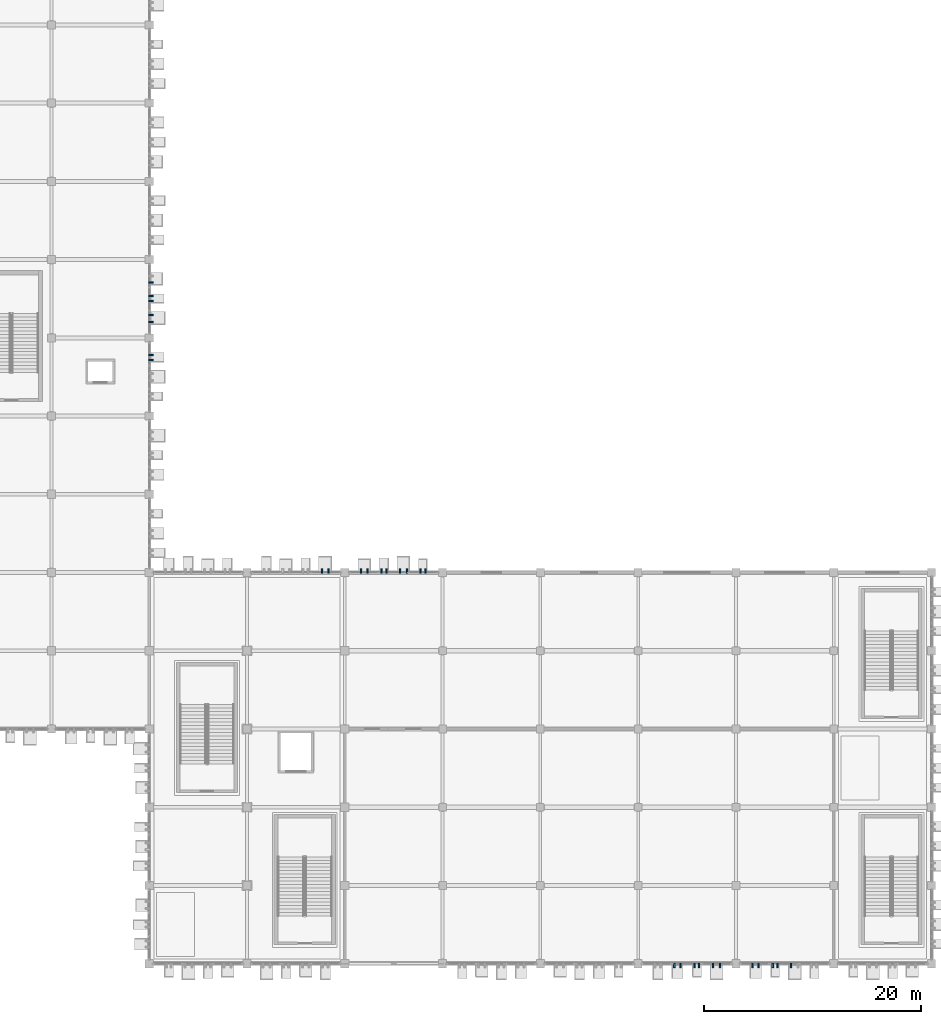
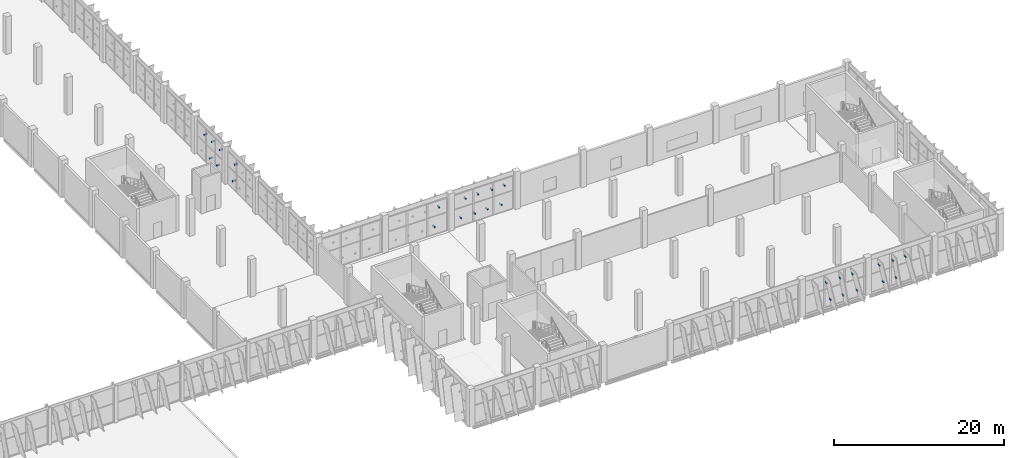
# One storey, part 151 of 189: 28 discrete accessories.
"""IFC4 building model written with IfcOpenShell, lengths in metres."""

from ifc_helpers import new_model, si_unit, direction, frame, origin, origin_2d, place, context, subcontext, project, spatial, rectangle, extrude, material, type_object, element, save


model = new_model("IFC4")

# Units and contexts
model_context = context("Model", 3, precision=1e-05, world=origin(), true_north=direction((0.0, 1.0)))
body_context = subcontext(model_context, "Body", "Model", "MODEL_VIEW")
ifc_project = project(units=[si_unit("LENGTHUNIT", "METRE"), si_unit("AREAUNIT", "SQUARE_METRE"), si_unit("VOLUMEUNIT", "CUBIC_METRE"), si_unit("PLANEANGLEUNIT", "RADIAN"), si_unit("MASSUNIT", "GRAM", prefix="KILO")], contexts=[model_context])

# Site, building, storey
site_placement = place(None, origin())
site = spatial("IfcSite", under=ifc_project, at=site_placement, CompositionType="ELEMENT")
building_placement = place(site_placement, origin())
building = spatial("IfcBuilding", under=site, at=building_placement, Name="Celestram Park Convention Centre", CompositionType="ELEMENT")
storey_placement = place(building_placement, frame((0.0, 0.0, 5.39990234375)))
storey = spatial("IfcBuildingStorey", under=building, at=storey_placement, Name="L01", CompositionType="ELEMENT", Elevation=5.39990234375)

# Discrete accessories
ifc_material = material(Name="Steel ASTM A500 Grade C", Category="steel")
discrete_accessory_type = type_object("IfcDiscreteAccessoryType", Name="ARC-BRK-OUT400", PredefinedType="BRACKET", material=ifc_material)
for number, where, z_axis, x_axis, name in (
    (1, (144.14990234375, 62.68798828125, 3.650390625), (0.0, 0.0, 1.0), (1.0, 0.0, 0.0), "Solar fin outrigger bracket BK-L01-0562"),
    (2, (144.14990234375, 61.42919921875, 1.01318359375), (0.0, 0.0, 1.0), (1.0, 0.0, 0.0), "Solar fin outrigger bracket BK-L01-0563"),
    (3, (144.14990234375, 60.970703125, 3.66748046875), (0.0, 0.0, 1.0), (1.0, 0.0, 0.0), "Solar fin outrigger bracket BK-L01-0564"),
    (4, (144.14990234375, 59.72119140625, 1.0322265625), (0.0, 0.0, 1.0), (1.0, 0.0, 0.0), "Solar fin outrigger bracket BK-L01-0565"),
    (5, (144.14990234375, 59.07861328125, 3.64794921875), (0.0, 0.0, 1.0), (1.0, 0.0, 0.0), "Solar fin outrigger bracket BK-L01-0566"),
    (6, (144.14990234375, 56.029296875, 1.01318359375), (0.0, 0.0, 1.0), (1.0, 0.0, 0.0), "Solar fin outrigger bracket BK-L01-0567"),
    (7, (144.14990234375, 55.57080078125, 3.66748046875), (0.0, 0.0, 1.0), (1.0, 0.0, 0.0), "Solar fin outrigger bracket BK-L01-0568"),
    (8, (159.882568359375, 36.14990234375, 1.01953125), (0.0, 0.0, 1.0), (0.0, 1.0, 0.0), "Solar fin outrigger bracket BK-L01-0599"),
    (9, (160.517578125, 36.14990234375, 3.60498046875), (0.0, 0.0, 1.0), (0.0, 1.0, 0.0), "Solar fin outrigger bracket BK-L01-0600"),
    (10, (163.491455078125, 36.14990234375, 1.01708984375), (0.0, 0.0, 1.0), (0.0, 1.0, 0.0), "Solar fin outrigger bracket BK-L01-0601"),
    (11, (164.1083984375, 36.14990234375, 3.60693359375), (0.0, 0.0, 1.0), (0.0, 1.0, 0.0), "Solar fin outrigger bracket BK-L01-0602"),
    (12, (165.373291015625, 36.14990234375, 1.00048828125), (0.0, 0.0, 1.0), (0.0, 1.0, 0.0), "Solar fin outrigger bracket BK-L01-0603"),
    (13, (165.82666015625, 36.14990234375, 3.6240234375), (0.0, 0.0, 1.0), (0.0, 1.0, 0.0), "Solar fin outrigger bracket BK-L01-0604"),
    (14, (167.08251953125, 36.14990234375, 1.01953125), (0.0, 0.0, 1.0), (0.0, 1.0, 0.0), "Solar fin outrigger bracket BK-L01-0605"),
    (15, (167.717529296875, 36.14990234375, 3.60498046875), (0.0, 0.0, 1.0), (0.0, 1.0, 0.0), "Solar fin outrigger bracket BK-L01-0606"),
    (16, (168.9873046875, 36.14990234375, 0.998046875), (0.0, 0.0, 1.0), (0.0, 1.0, 0.0), "Solar fin outrigger bracket BK-L01-0607"),
    (17, (169.412841796875, 36.14990234375, 3.6259765625), (0.0, 0.0, 1.0), (0.0, 1.0, 0.0), "Solar fin outrigger bracket BK-L01-0608"),
    (18, (203.08251953125, -0.14990234375, 3.60498046875), (0.0, 0.0, 1.0), (0.0, -1.0, 0.0), "Solar fin outrigger bracket BK-L01-0650"),
    (19, (201.812744140625, -0.14990234375, 0.998046875), (0.0, 0.0, 1.0), (0.0, -1.0, 0.0), "Solar fin outrigger bracket BK-L01-0651"),
    (20, (201.38720703125, -0.14990234375, 3.6259765625), (0.0, 0.0, 1.0), (0.0, -1.0, 0.0), "Solar fin outrigger bracket BK-L01-0652"),
    (21, (200.0791015625, -0.14990234375, 1.0107421875), (0.0, 0.0, 1.0), (0.0, -1.0, 0.0), "Solar fin outrigger bracket BK-L01-0653"),
    (22, (199.52099609375, -0.14990234375, 3.61376953125), (0.0, 0.0, 1.0), (0.0, -1.0, 0.0), "Solar fin outrigger bracket BK-L01-0654"),
    (23, (196.517578125, -0.14990234375, 1.01953125), (0.0, 0.0, 1.0), (0.0, -1.0, 0.0), "Solar fin outrigger bracket BK-L01-0655"),
    (24, (195.882568359375, -0.14990234375, 3.60498046875), (0.0, 0.0, 1.0), (0.0, -1.0, 0.0), "Solar fin outrigger bracket BK-L01-0656"),
    (25, (194.61279296875, -0.14990234375, 0.998046875), (0.0, 0.0, 1.0), (0.0, -1.0, 0.0), "Solar fin outrigger bracket BK-L01-0657"),
    (26, (194.187255859375, -0.14990234375, 3.6259765625), (0.0, 0.0, 1.0), (0.0, -1.0, 0.0), "Solar fin outrigger bracket BK-L01-0658"),
    (27, (192.87890625, -0.14990234375, 1.0107421875), (0.0, 0.0, 1.0), (0.0, -1.0, 0.0), "Solar fin outrigger bracket BK-L01-0659"),
    (28, (192.321044921875, -0.14990234375, 3.61376953125), (0.0, 0.0, 1.0), (0.0, -1.0, 0.0), "Solar fin outrigger bracket BK-L01-0660"),
):
    element("IfcDiscreteAccessory", number, at=place(storey_placement, frame(where, z_axis=z_axis, x_axis=x_axis)), inside=storey, type_object=discrete_accessory_type, Name=name, PredefinedType="BRACKET", context=body_context, shape_type="SweptSolid", body=[
        extrude(rectangle(XDim=0.39990234375, YDim=0.139892578125, at=origin_2d()), origin(), (0.0, 0.0, 1.0), 0.139892578125),
    ])

save(model, "model.ifc")
